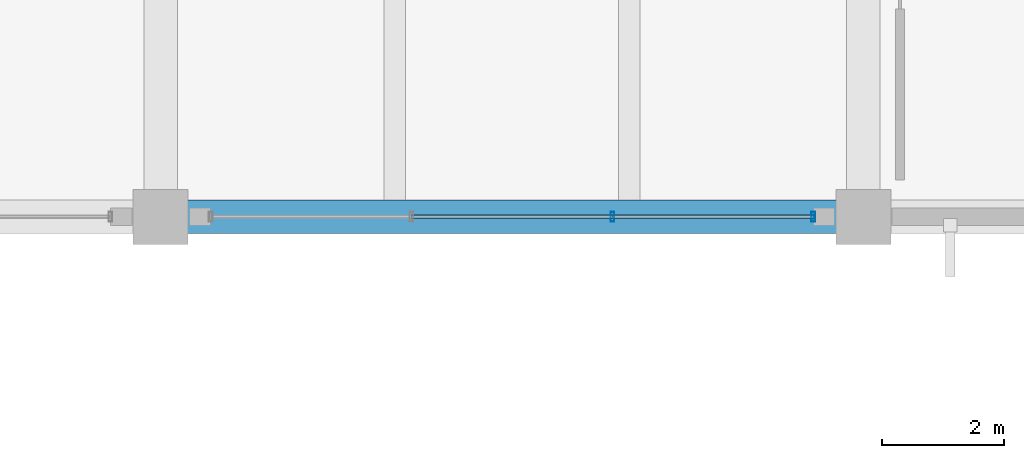
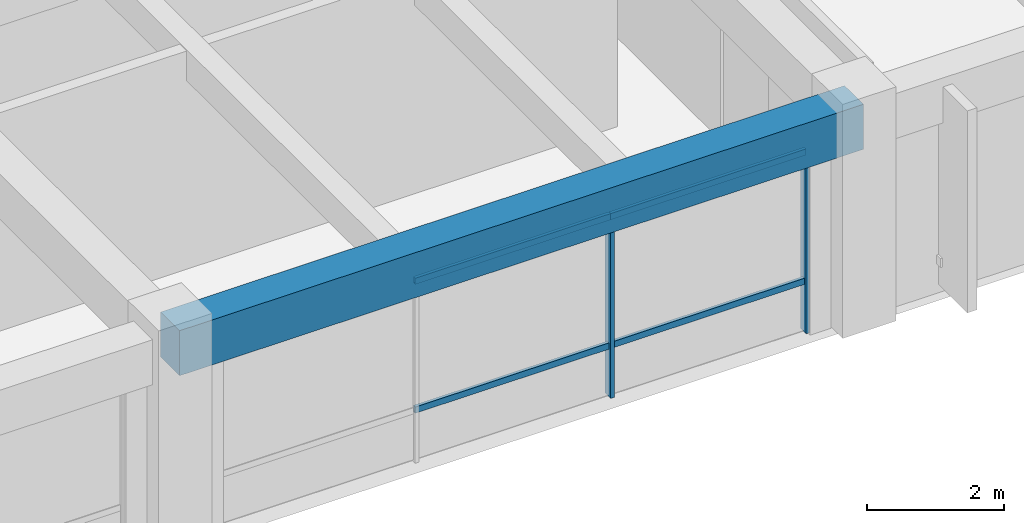
# One storey, part 19 of 33: 6 members, 1 beam, 1 element without a shape of its own.
"""IFC4 building model written with IfcOpenShell, lengths in metres."""

from ifc_helpers import new_model, si_unit, direction, frame, origin, origin_2d, place, context, subcontext, project, spatial, rectangle, hollow_rectangle, extrude, material, material_profile, profile_set, type_object, element, aggregate, save


model = new_model("IFC4")

# Units and contexts
model_context = context("Model", 3, precision=1e-05, world=origin(), true_north=direction((0.0, 1.0)))
body_context = subcontext(model_context, "Body", "Model", "MODEL_VIEW")
ifc_project = project(units=[si_unit("LENGTHUNIT", "METRE"), si_unit("AREAUNIT", "SQUARE_METRE"), si_unit("VOLUMEUNIT", "CUBIC_METRE"), si_unit("PLANEANGLEUNIT", "RADIAN"), si_unit("MASSUNIT", "GRAM", prefix="KILO")], contexts=[model_context])

# Site, building, storey
site_placement = place(None, origin())
site = spatial("IfcSite", under=ifc_project, at=site_placement, CompositionType="ELEMENT")
building_placement = place(site_placement, origin())
building = spatial("IfcBuilding", under=site, at=building_placement, Name="Ologun Quay Terminus", CompositionType="ELEMENT")
storey_placement = place(building_placement, frame((0.0, 0.0, 18.300048828125)))
storey = spatial("IfcBuildingStorey", under=building, at=storey_placement, Name="L04", CompositionType="ELEMENT", Elevation=18.300048828125)

# Curtain wall, members
ifc_material_1 = material(Name="Aluminium 6063-T6", Category="aluminium")
curtain_wall_type = type_object("IfcCurtainWallType", Name="Operations Wing Harbour Curtain Wall L04 10400x3800", PredefinedType="USERDEFINED", material=ifc_material_1)
curtain_wall_placement = place(storey_placement, origin())
curtain_wall = element("IfcCurtainWall", 1, at=curtain_wall_placement, inside=storey, type_object=curtain_wall_type, Name="CW-27 Curtain Wall CW-L04-146", ObjectType="UNITISED CURTAIN WALL", PredefinedType="USERDEFINED")
ifc_material_2 = material(Name="Aluminium 6063-T6", Category="aluminium")
ifc_material_profile_1 = material_profile(ifc_material_2, hollow_rectangle(XDim=0.06005859375, YDim=0.159912109375, WallThickness=0.00390625, at=origin_2d()), Name="ALU 160x60x4")
ifc_profile_set_1 = profile_set([ifc_material_profile_1], Name="Aluminium 6063-T6")
member_type_1 = type_object("IfcMemberType", Name="Courtyard Screen Mullion 160x65", PredefinedType="MULLION", material=ifc_profile_set_1)
member_1_placement = place(storey_placement, frame((145.393310546875, 85.800048828125, 0.0), z_axis=(0.0, 0.0, 1.0), x_axis=(1.0, 0.0, 0.0)))
member_1 = element("IfcMember", 2, at=member_1_placement, type_object=member_type_1, Name="CW-L04-146 Mullion 3", PredefinedType="MULLION", context=body_context, shape_type="SweptSolid", body=[
    extrude(hollow_rectangle(XDim=0.06005859375, YDim=0.159912109375, WallThickness=0.00390625, at=origin_2d()), origin(), (0.0, 0.0, 1.0), 3.889892578125),
])
member_2_placement = place(storey_placement, frame((148.679931640625, 85.800048828125, 0.0), z_axis=(0.0, 0.0, 1.0), x_axis=(1.0, 0.0, 0.0)))
member_2 = element("IfcMember", 3, at=member_2_placement, type_object=member_type_1, Name="CW-L04-146 Mullion 4", PredefinedType="MULLION", context=body_context, shape_type="SweptSolid", body=[
    extrude(hollow_rectangle(XDim=0.06005859375, YDim=0.159912109375, WallThickness=0.00390625, at=origin_2d()), origin(), (0.0, 0.0, 1.0), 3.889892578125),
])
ifc_material_3 = material(Name="Aluminium 6063-T6", Category="aluminium")
ifc_material_profile_2 = material_profile(ifc_material_3, hollow_rectangle(XDim=0.054931640625, YDim=0.110107421875, WallThickness=0.00390625, at=origin_2d()), Name="ALU 110x55x4")
ifc_profile_set_2 = profile_set([ifc_material_profile_2], Name="Aluminium 6063-T6")
member_type_2 = type_object("IfcMemberType", Name="Courtyard Screen Transom 110x55", PredefinedType="USERDEFINED", material=ifc_profile_set_2)
member_3_placement = place(storey_placement, frame((142.106689453125, 85.800048828125, 0.89990234375), z_axis=(1.0, 0.0, 0.0), x_axis=(0.0, 1.0, 0.0)))
member_3 = element("IfcMember", 4, at=member_3_placement, type_object=member_type_2, Name="CW-L04-146 Transom B2-1", ObjectType="TRANSOM", PredefinedType="USERDEFINED", context=body_context, shape_type="SweptSolid", body=[
    extrude(hollow_rectangle(XDim=0.054931640625, YDim=0.110107421875, WallThickness=0.00390625, at=origin_2d()), origin(), (0.0, 0.0, 1.0), 3.28662109375),
])
member_4_placement = place(storey_placement, frame((142.106689453125, 85.800048828125, 3.18994140625), z_axis=(1.0, 0.0, 0.0), x_axis=(0.0, 1.0, 0.0)))
member_4 = element("IfcMember", 5, at=member_4_placement, type_object=member_type_2, Name="CW-L04-146 Transom B2-2", ObjectType="TRANSOM", PredefinedType="USERDEFINED", context=body_context, shape_type="SweptSolid", body=[
    extrude(hollow_rectangle(XDim=0.054931640625, YDim=0.110107421875, WallThickness=0.00390625, at=origin_2d()), origin(), (0.0, 0.0, 1.0), 3.28662109375),
])
member_5_placement = place(storey_placement, frame((145.393310546875, 85.800048828125, 0.89990234375), z_axis=(1.0, 0.0, 0.0), x_axis=(0.0, 1.0, 0.0)))
member_5 = element("IfcMember", 6, at=member_5_placement, type_object=member_type_2, Name="CW-L04-146 Transom B3-1", ObjectType="TRANSOM", PredefinedType="USERDEFINED", context=body_context, shape_type="SweptSolid", body=[
    extrude(hollow_rectangle(XDim=0.054931640625, YDim=0.110107421875, WallThickness=0.00390625, at=origin_2d()), origin(), (0.0, 0.0, 1.0), 3.28662109375),
])
member_6_placement = place(storey_placement, frame((145.393310546875, 85.800048828125, 3.18994140625), z_axis=(1.0, 0.0, 0.0), x_axis=(0.0, 1.0, 0.0)))
member_6 = element("IfcMember", 7, at=member_6_placement, type_object=member_type_2, Name="CW-L04-146 Transom B3-2", ObjectType="TRANSOM", PredefinedType="USERDEFINED", context=body_context, shape_type="SweptSolid", body=[
    extrude(hollow_rectangle(XDim=0.054931640625, YDim=0.110107421875, WallThickness=0.00390625, at=origin_2d()), origin(), (0.0, 0.0, 1.0), 3.28662109375),
])
aggregate(curtain_wall, [member_1, member_2, member_3, member_4, member_5, member_6])

# Beam
ifc_material_4 = material(Name="Concrete C40/50", Category="concrete")
ifc_material_profile_3 = material_profile(ifc_material_4, rectangle(XDim=0.550048828125, YDim=0.800048828125, at=origin_2d()), Name="RC 550x800")
ifc_profile_set_3 = profile_set([ifc_material_profile_3], Name="Concrete C40/50")
beam_type = type_object("IfcBeamType", Name="Courtyard Wing Primary Girder 550x800", PredefinedType="BEAM", material=ifc_profile_set_3)
beam_placement = place(storey_placement, frame((138.0, 85.800048828125, 3.5), z_axis=(1.0, 0.0, 0.0), x_axis=(0.0, 1.0, 0.0)))
element("IfcBeam", 8, at=beam_placement, inside=storey, type_object=beam_type, Name="B4 Beam 13/G2 L04", PredefinedType="BEAM", context=body_context, shape_type="SweptSolid", body=[
    extrude(rectangle(XDim=0.550048828125, YDim=0.800048828125, at=origin_2d()), origin(), (0.0, 0.0, 1.0), 11.5),
])

save(model, "model.ifc")
